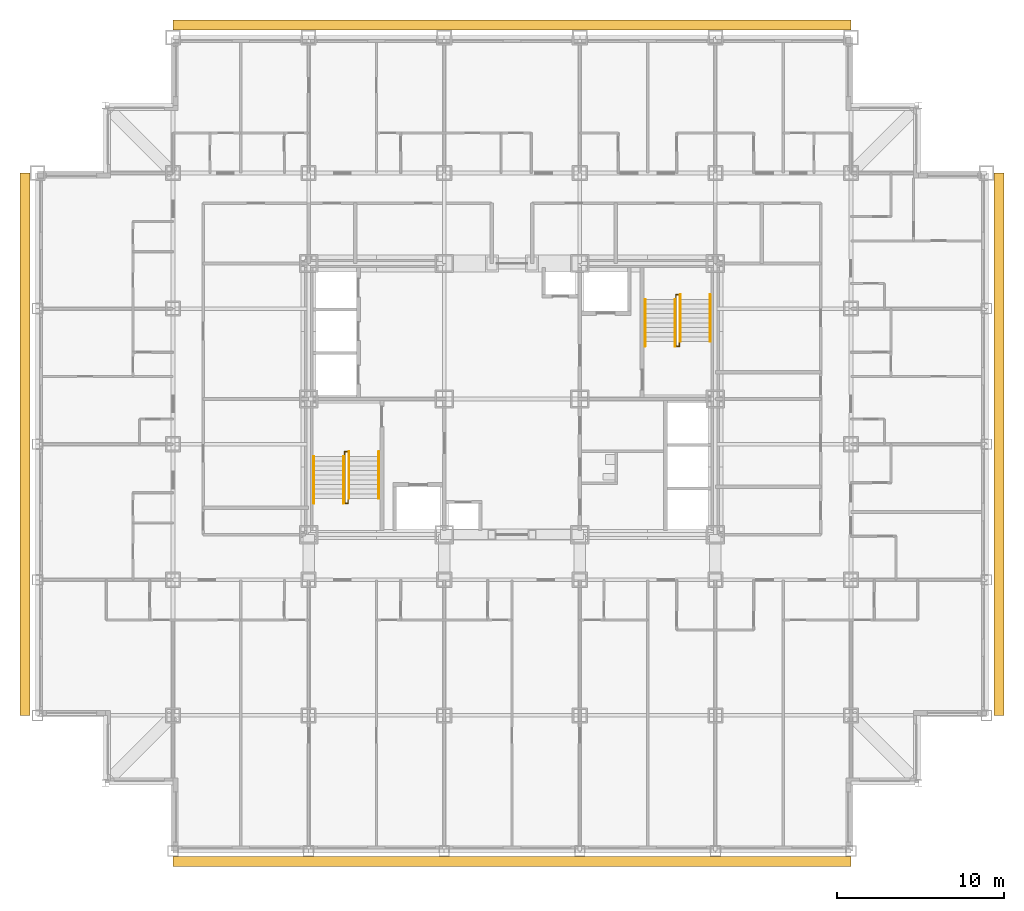
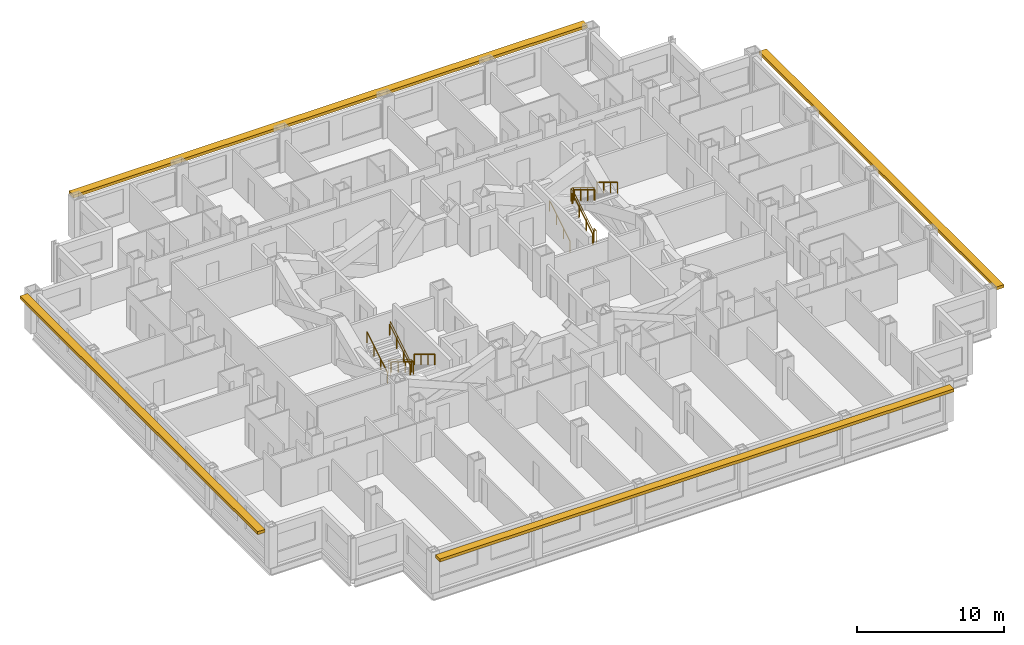
# One storey, part 13 of 14: 10 railings, 4 shading devices.
"""IFC4 building model written with IfcOpenShell, lengths in metres."""

from ifc_helpers import new_model, si_unit, direction, frame, origin, origin_2d, place, context, subcontext, project, spatial, rectangle, circle, extrude, material, type_object, element, save


model = new_model("IFC4")

# Units and contexts
model_context = context("Model", 3, precision=1e-05, world=origin(), true_north=direction((0.0, 1.0)))
body_context = subcontext(model_context, "Body", "Model", "MODEL_VIEW")
ifc_project = project(units=[si_unit("LENGTHUNIT", "METRE"), si_unit("AREAUNIT", "SQUARE_METRE"), si_unit("VOLUMEUNIT", "CUBIC_METRE"), si_unit("PLANEANGLEUNIT", "RADIAN"), si_unit("MASSUNIT", "GRAM", prefix="KILO")], contexts=[model_context])

# Site, building, storey
site_placement = place(None, origin())
site = spatial("IfcSite", under=ifc_project, at=site_placement, CompositionType="ELEMENT")
building_placement = place(site_placement, origin())
building = spatial("IfcBuilding", under=site, at=building_placement, Name="Kopane Lantern Tower", CompositionType="ELEMENT")
storey_placement = place(building_placement, frame((0.0, 0.0, 123.800048828125)))
storey = spatial("IfcBuildingStorey", under=building, at=storey_placement, Name="L31", CompositionType="ELEMENT", Elevation=123.800048828125)

# Railings
ifc_material_1 = material(Name="Steel", Category="steel")
railing_type_1 = type_object("IfcRailingType", Name="STAIR GUARD 1100", PredefinedType="GUARDRAIL", material=ifc_material_1)
railing_1_placement = place(storey_placement, frame((18.35009765625, 28.969970703125, 0.0)))
element("IfcRailing", 1, at=railing_1_placement, inside=storey, type_object=railing_type_1, Name="ST1 well guard L31", PredefinedType="GUARDRAIL", context=body_context, shape_type="SweptSolid", body=[
    extrude(circle(Radius=0.02392578125, at=origin_2d()), frame((0.0, 0.0, 1.076171875), z_axis=(0.0, 1.0, 0.0), x_axis=(-1.0, 0.0, 0.0)), (0.0, 0.0, 1.0), 0.280029296875),
    extrude(circle(Radius=0.02392578125, at=origin_2d()), frame((0.0, 0.280029296875, 1.076171875), z_axis=(1.0, 0.0, 0.0), x_axis=(0.0, 1.0, 0.0)), (0.0, 0.0, 1.0), 0.199951171875),
    extrude(circle(Radius=0.02392578125, at=origin_2d()), frame((0.199951171875, 0.280029296875, 1.076171875), z_axis=(0.0, -0.854798142509, 0.518960630071), x_axis=(1.0, 0.0, 0.0)), (0.0, 0.0, 1.0), 3.275634765625),
    extrude(circle(Radius=0.02392578125, at=origin_2d()), frame((0.199951171875, -2.52001953125, 2.77587890625), z_axis=(0.0, -1.0, 0.0), x_axis=(1.0, 0.0, 0.0)), (0.0, 0.0, 1.0), 0.280029296875),
    extrude(circle(Radius=0.02392578125, at=origin_2d()), frame((0.199951171875, -2.800048828125, 2.77587890625), z_axis=(-1.0, 0.0, 0.0), x_axis=(0.0, -1.0, 0.0)), (0.0, 0.0, 1.0), 0.199951171875),
    extrude(circle(Radius=0.02392578125, at=origin_2d()), frame((0.0, -2.800048828125, 2.77587890625), z_axis=(0.0, 0.854798142509, 0.518960630071), x_axis=(-1.0, 0.0, 0.0)), (0.0, 0.0, 1.0), 3.275634765625),
    extrude(circle(Radius=0.02099609375, at=origin_2d()), origin(), (0.0, 0.0, 1.0), 1.052001953125),
    extrude(circle(Radius=0.02099609375, at=origin_2d()), frame((0.0, 0.280029296875, 0.0)), (0.0, 0.0, 1.0), 1.052001953125),
    extrude(circle(Radius=0.02099609375, at=origin_2d()), frame((0.199951171875, 0.280029296875, 0.0)), (0.0, 0.0, 1.0), 1.052001953125),
    extrude(circle(Radius=0.02099609375, at=origin_2d()), frame((0.199951171875, -0.6533203125, 0.566650390625)), (0.0, 0.0, 1.0), 1.052001953125),
    extrude(circle(Radius=0.02099609375, at=origin_2d()), frame((0.199951171875, -1.586669921875, 1.13330078125)), (0.0, 0.0, 1.0), 1.052001953125),
    extrude(circle(Radius=0.02099609375, at=origin_2d()), frame((0.199951171875, -2.52001953125, 1.699951171875)), (0.0, 0.0, 1.0), 1.052001953125),
    extrude(circle(Radius=0.02099609375, at=origin_2d()), frame((0.199951171875, -2.800048828125, 1.699951171875)), (0.0, 0.0, 1.0), 1.052001953125),
    extrude(circle(Radius=0.02099609375, at=origin_2d()), frame((0.0, -2.800048828125, 1.699951171875)), (0.0, 0.0, 1.0), 1.052001953125),
    extrude(circle(Radius=0.02099609375, at=origin_2d()), frame((0.0, -1.86669921875, 2.2666015625)), (0.0, 0.0, 1.0), 1.052001953125),
    extrude(circle(Radius=0.02099609375, at=origin_2d()), frame((0.0, -0.933349609375, 2.833251953125)), (0.0, 0.0, 1.0), 1.052001953125),
    extrude(circle(Radius=0.02099609375, at=origin_2d()), frame((0.0, 0.0, 3.39990234375)), (0.0, 0.0, 1.0), 1.052001953125),
])
railing_2_placement = place(storey_placement, frame((38.35009765625, 35.830078125, 0.0)))
element("IfcRailing", 2, at=railing_2_placement, inside=storey, type_object=railing_type_1, Name="ST2 well guard L31", PredefinedType="GUARDRAIL", context=body_context, shape_type="SweptSolid", body=[
    extrude(circle(Radius=0.02392578125, at=origin_2d()), frame((0.0, 0.0, 1.076171875), z_axis=(0.0, -1.0, 0.0), x_axis=(1.0, 0.0, 0.0)), (0.0, 0.0, 1.0), 0.280029296875),
    extrude(circle(Radius=0.02392578125, at=origin_2d()), frame((0.0, -0.280029296875, 1.076171875), z_axis=(-1.0, 0.0, 0.0), x_axis=(0.0, -1.0, 0.0)), (0.0, 0.0, 1.0), 0.2001953125),
    extrude(circle(Radius=0.02392578125, at=origin_2d()), frame((-0.2001953125, -0.280029296875, 1.076171875), z_axis=(0.0, 0.854798142509, 0.518960630071), x_axis=(-1.0, 0.0, 0.0)), (0.0, 0.0, 1.0), 3.275634765625),
    extrude(circle(Radius=0.02392578125, at=origin_2d()), frame((-0.2001953125, 2.52001953125, 2.77587890625), z_axis=(0.0, 1.0, 0.0), x_axis=(-1.0, 0.0, 0.0)), (0.0, 0.0, 1.0), 0.27978515625),
    extrude(circle(Radius=0.02392578125, at=origin_2d()), frame((-0.2001953125, 2.7998046875, 2.77587890625), z_axis=(1.0, 0.0, 0.0), x_axis=(0.0, 1.0, 0.0)), (0.0, 0.0, 1.0), 0.2001953125),
    extrude(circle(Radius=0.02392578125, at=origin_2d()), frame((0.0, 2.7998046875, 2.77587890625), z_axis=(0.0, -0.854778067842, 0.518993694313), x_axis=(1.0, 0.0, 0.0)), (0.0, 0.0, 1.0), 3.275390625),
    extrude(circle(Radius=0.02099609375, at=origin_2d()), origin(), (0.0, 0.0, 1.0), 1.052001953125),
    extrude(circle(Radius=0.02099609375, at=origin_2d()), frame((0.0, -0.280029296875, 0.0)), (0.0, 0.0, 1.0), 1.052001953125),
    extrude(circle(Radius=0.02099609375, at=origin_2d()), frame((-0.2001953125, -0.280029296875, 0.0)), (0.0, 0.0, 1.0), 1.052001953125),
    extrude(circle(Radius=0.02099609375, at=origin_2d()), frame((-0.2001953125, 0.6533203125, 0.566650390625)), (0.0, 0.0, 1.0), 1.052001953125),
    extrude(circle(Radius=0.02099609375, at=origin_2d()), frame((-0.2001953125, 1.586669921875, 1.13330078125)), (0.0, 0.0, 1.0), 1.052001953125),
    extrude(circle(Radius=0.02099609375, at=origin_2d()), frame((-0.2001953125, 2.52001953125, 1.699951171875)), (0.0, 0.0, 1.0), 1.052001953125),
    extrude(circle(Radius=0.02099609375, at=origin_2d()), frame((-0.2001953125, 2.7998046875, 1.699951171875)), (0.0, 0.0, 1.0), 1.052001953125),
    extrude(circle(Radius=0.02099609375, at=origin_2d()), frame((0.0, 2.7998046875, 1.699951171875)), (0.0, 0.0, 1.0), 1.052001953125),
    extrude(circle(Radius=0.02099609375, at=origin_2d()), frame((0.0, 1.866455078125, 2.2666015625)), (0.0, 0.0, 1.0), 1.052001953125),
    extrude(circle(Radius=0.02099609375, at=origin_2d()), frame((0.0, 0.933349609375, 2.833251953125)), (0.0, 0.0, 1.0), 1.052001953125),
    extrude(circle(Radius=0.02099609375, at=origin_2d()), frame((0.0, 0.0, 3.39990234375)), (0.0, 0.0, 1.0), 1.052001953125),
])
ifc_material_2 = material(Name="Steel", Category="steel")
railing_type_2 = type_object("IfcRailingType", Name="STAIR HANDRAIL 900", PredefinedType="HANDRAIL", material=ifc_material_2)
for number, where, name in (
    (3, (20.389892578125, 29.25, 0.0), "ST1 handrail L31 flight 1"),
    (4, (18.610107421875, 29.25, 0.0), "ST1 handrail L31 flight 1"),
):
    element("IfcRailing", number, at=place(storey_placement, frame(where)), inside=storey, type_object=railing_type_2, Name=name, PredefinedType="HANDRAIL", context=body_context, shape_type="SweptSolid", body=[
        extrude(circle(Radius=0.02392578125, at=origin_2d()), frame((0.0, 0.0, 0.8759765625), z_axis=(0.0, -0.854798142509, 0.518960630071), x_axis=(1.0, 0.0, 0.0)), (0.0, 0.0, 1.0), 3.275634765625),
        extrude(circle(Radius=0.02099609375, at=origin_2d()), origin(), (0.0, 0.0, 1.0), 0.851806640625),
        extrude(circle(Radius=0.02099609375, at=origin_2d()), frame((0.0, -0.933349609375, 0.566650390625)), (0.0, 0.0, 1.0), 0.851806640625),
        extrude(circle(Radius=0.02099609375, at=origin_2d()), frame((0.0, -1.86669921875, 1.13330078125)), (0.0, 0.0, 1.0), 0.851806640625),
        extrude(circle(Radius=0.02099609375, at=origin_2d()), frame((0.0, -2.800048828125, 1.699951171875)), (0.0, 0.0, 1.0), 0.851806640625),
    ])
for number, where, name in (
    (5, (16.510009765625, 26.169921875, 1.699951171875), "ST1 handrail L31 flight 2"),
    (6, (18.2900390625, 26.169921875, 1.699951171875), "ST1 handrail L31 flight 2"),
    (7, (36.31005859375, 35.550048828125, 0.0), "ST2 handrail L31 flight 1"),
    (8, (38.090087890625, 35.550048828125, 0.0), "ST2 handrail L31 flight 1"),
):
    element("IfcRailing", number, at=place(storey_placement, frame(where)), inside=storey, type_object=railing_type_2, Name=name, PredefinedType="HANDRAIL", context=body_context, shape_type="SweptSolid", body=[
        extrude(circle(Radius=0.02392578125, at=origin_2d()), frame((0.0, 0.0, 0.8759765625), z_axis=(0.0, 0.854798142509, 0.518960630071), x_axis=(-1.0, 0.0, 0.0)), (0.0, 0.0, 1.0), 3.275634765625),
        extrude(circle(Radius=0.02099609375, at=origin_2d()), origin(), (0.0, 0.0, 1.0), 0.851806640625),
        extrude(circle(Radius=0.02099609375, at=origin_2d()), frame((0.0, 0.933349609375, 0.566650390625)), (0.0, 0.0, 1.0), 0.851806640625),
        extrude(circle(Radius=0.02099609375, at=origin_2d()), frame((0.0, 1.86669921875, 1.13330078125)), (0.0, 0.0, 1.0), 0.851806640625),
        extrude(circle(Radius=0.02099609375, at=origin_2d()), frame((0.0, 2.800048828125, 1.699951171875)), (0.0, 0.0, 1.0), 0.851806640625),
    ])
for number, where, name in (
    (9, (40.18994140625, 38.6298828125, 1.699951171875), "ST2 handrail L31 flight 2"),
    (10, (38.409912109375, 38.6298828125, 1.699951171875), "ST2 handrail L31 flight 2"),
):
    element("IfcRailing", number, at=place(storey_placement, frame(where)), inside=storey, type_object=railing_type_2, Name=name, PredefinedType="HANDRAIL", context=body_context, shape_type="SweptSolid", body=[
        extrude(circle(Radius=0.02392578125, at=origin_2d()), frame((0.0, 0.0, 0.8759765625), z_axis=(0.0, -0.854778067842, 0.518993694313), x_axis=(1.0, 0.0, 0.0)), (0.0, 0.0, 1.0), 3.275390625),
        extrude(circle(Radius=0.02099609375, at=origin_2d()), origin(), (0.0, 0.0, 1.0), 0.851806640625),
        extrude(circle(Radius=0.02099609375, at=origin_2d()), frame((0.0, -0.933349609375, 0.566650390625)), (0.0, 0.0, 1.0), 0.851806640625),
        extrude(circle(Radius=0.02099609375, at=origin_2d()), frame((0.0, -1.866455078125, 1.13330078125)), (0.0, 0.0, 1.0), 0.851806640625),
        extrude(circle(Radius=0.02099609375, at=origin_2d()), frame((0.0, -2.7998046875, 1.699951171875)), (0.0, 0.0, 1.0), 0.851806640625),
    ])

# Shading devices
ifc_material_3 = material(Name="Terracotta rainscreen on light steel framing", Category="masonry")
shading_device_type = type_object("IfcShadingDeviceType", Name="SUNSHADE BAND SB1 600 TERRACOTTA", PredefinedType="USERDEFINED", material=ifc_material_3)
shading_device_1_placement = place(storey_placement, frame((28.35009765625, 4.77490234375, 2.89990234375), z_axis=(0.0, 0.0, 1.0), x_axis=(1.0, 0.0, 0.0)))
element("IfcShadingDevice", 11, at=shading_device_1_placement, inside=storey, type_object=shading_device_type, Name="Sunshade band S L31", ObjectType="SUNSHADE BAND", PredefinedType="USERDEFINED", context=body_context, shape_type="SweptSolid", body=[
    extrude(rectangle(XDim=40.5, YDim=0.60009765625, at=origin_2d()), origin(), (0.0, 0.0, 1.0), 0.25),
])
shading_device_2_placement = place(storey_placement, frame((57.449951171875, 29.699951171875, 2.89990234375), z_axis=(0.0, 0.0, 1.0), x_axis=(0.0, 1.0, 0.0)))
element("IfcShadingDevice", 12, at=shading_device_2_placement, inside=storey, type_object=shading_device_type, Name="Sunshade band E L31", ObjectType="SUNSHADE BAND", PredefinedType="USERDEFINED", context=body_context, shape_type="SweptSolid", body=[
    extrude(rectangle(XDim=32.39990234375, YDim=0.60009765625, at=origin_2d()), origin(), (0.0, 0.0, 1.0), 0.25),
])
shading_device_3_placement = place(storey_placement, frame((28.35009765625, 54.75, 2.89990234375), z_axis=(0.0, 0.0, 1.0), x_axis=(-1.0, 0.0, 0.0)))
element("IfcShadingDevice", 13, at=shading_device_3_placement, inside=storey, type_object=shading_device_type, Name="Sunshade band N L31", ObjectType="SUNSHADE BAND", PredefinedType="USERDEFINED", context=body_context, shape_type="SweptSolid", body=[
    extrude(rectangle(XDim=40.5, YDim=0.60009765625, at=origin_2d()), origin(), (0.0, 0.0, 1.0), 0.25),
])
shading_device_4_placement = place(storey_placement, frame((-0.75, 29.699951171875, 2.89990234375), z_axis=(0.0, 0.0, 1.0), x_axis=(0.0, -1.0, 0.0)))
element("IfcShadingDevice", 14, at=shading_device_4_placement, inside=storey, type_object=shading_device_type, Name="Sunshade band W L31", ObjectType="SUNSHADE BAND", PredefinedType="USERDEFINED", context=body_context, shape_type="SweptSolid", body=[
    extrude(rectangle(XDim=32.39990234375, YDim=0.60009765625, at=origin_2d()), origin(), (0.0, 0.0, 1.0), 0.25),
])

save(model, "model.ifc")
